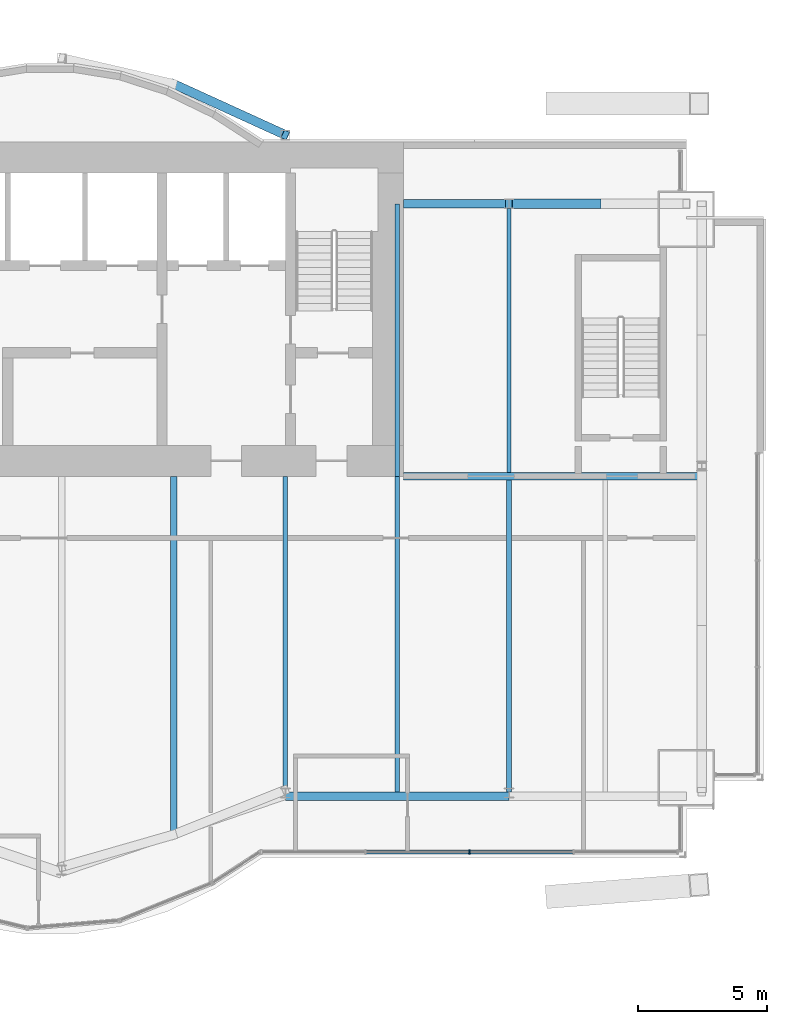
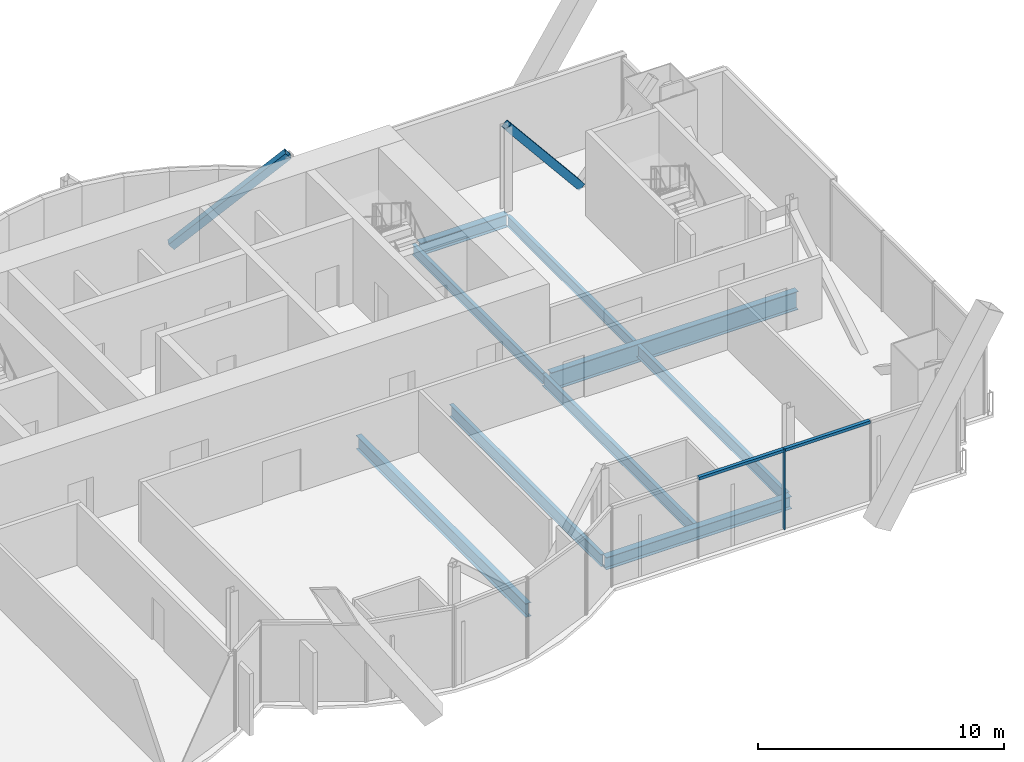
# One storey, part 9 of 19: 9 beams, 5 members, 1 element without a shape of its own.
"""IFC4 building model written with IfcOpenShell, lengths in metres."""

from ifc_helpers import new_model, si_unit, direction, frame, origin, origin_2d, place, context, subcontext, project, spatial, rectangle, hollow_rectangle, i_section, extrude, material, material_profile, profile_set, type_object, element, aggregate, save


model = new_model("IFC4")

# Units and contexts
model_context = context("Model", 3, precision=1e-05, world=origin(), true_north=direction((0.0, 1.0)))
body_context = subcontext(model_context, "Body", "Model", "MODEL_VIEW")
ifc_project = project(units=[si_unit("LENGTHUNIT", "METRE"), si_unit("AREAUNIT", "SQUARE_METRE"), si_unit("VOLUMEUNIT", "CUBIC_METRE"), si_unit("PLANEANGLEUNIT", "RADIAN"), si_unit("MASSUNIT", "GRAM", prefix="KILO")], contexts=[model_context])

# Site, building, storey
site_placement = place(None, origin())
site = spatial("IfcSite", under=ifc_project, at=site_placement, CompositionType="ELEMENT")
building_placement = place(site_placement, origin())
building = spatial("IfcBuilding", under=site, at=building_placement, Name="Bicima Exchange Tower", CompositionType="ELEMENT")
storey_placement = place(building_placement, frame((0.0, 0.0, 283.39990234375)))
storey = spatial("IfcBuildingStorey", under=building, at=storey_placement, Name="L64", CompositionType="ELEMENT", Elevation=283.39990234375)

# Beams
ifc_material_1 = material(Name="Steel ASTM A992 Gr 50", Category="steel")
ifc_material_profile_1 = material_profile(ifc_material_1, i_section(OverallWidth=0.3046875, OverallDepth=0.911865234375, WebThickness=0.015869140625, FlangeThickness=0.02392578125, at=origin_2d()))
ifc_profile_set_1 = profile_set([ifc_material_profile_1], Name="Steel ASTM A992 Gr 50")
beam_type_1 = type_object("IfcBeamType", Name="Core-line girder W36x150", PredefinedType="BEAM", material=ifc_profile_set_1)
beam_1_placement = place(storey_placement, frame((22.0, -13.0, -0.605712890625), z_axis=(1.0, 0.0, 0.0), x_axis=(0.0, 1.0, 0.0)))
element("IfcBeam", 1, at=beam_1_placement, inside=storey, type_object=beam_type_1, Name="Core-line girder", PredefinedType="BEAM", context=body_context, shape_type="SweptSolid", body=[
    extrude(i_section(OverallWidth=0.3046875, OverallDepth=0.911865234375, WebThickness=0.015869140625, FlangeThickness=0.02392578125, at=origin_2d()), origin(), (0.0, 0.0, 1.0), 11.60009765625),
])
ifc_material_profile_2 = material_profile(ifc_material_1, i_section(OverallWidth=0.165771484375, OverallDepth=0.5283203125, WebThickness=0.009765625, FlangeThickness=0.013671875, at=origin_2d()))
ifc_profile_set_2 = profile_set([ifc_material_profile_2], Name="Steel ASTM A992 Gr 50")
beam_type_2 = type_object("IfcBeamType", Name="Floor beam W21x50", PredefinedType="JOIST", material=ifc_profile_set_2)
beam_2_placement = place(storey_placement, frame((21.75, -2.39990234375, -0.4140625), z_axis=(0.0, -1.0, 0.0), x_axis=(1.0, 0.0, 0.0)))
element("IfcBeam", 2, at=beam_2_placement, inside=storey, type_object=beam_type_2, Name="Floor beam", PredefinedType="JOIST", context=body_context, shape_type="SweptSolid", body=[
    extrude(i_section(OverallWidth=0.165771484375, OverallDepth=0.5283203125, WebThickness=0.009765625, FlangeThickness=0.013671875, at=origin_2d()), origin(), (0.0, 0.0, 1.0), 10.60009765625),
])
beam_3_placement = place(storey_placement, frame((26.10009765625, -2.5625, -0.4140625), z_axis=(0.0, -1.0, 0.0), x_axis=(1.0, 0.0, 0.0)))
element("IfcBeam", 3, at=beam_3_placement, inside=storey, type_object=beam_type_2, Name="Floor beam", PredefinedType="JOIST", context=body_context, shape_type="SweptSolid", body=[
    extrude(i_section(OverallWidth=0.165771484375, OverallDepth=0.5283203125, WebThickness=0.009765625, FlangeThickness=0.013671875, at=origin_2d()), origin(), (0.0, 0.0, 1.0), 10.28515625),
])
ifc_material_profile_3 = material_profile(ifc_material_1, i_section(OverallWidth=0.177978515625, OverallDepth=0.599365234375, WebThickness=0.010009765625, FlangeThickness=0.012939453125, at=origin_2d()))
ifc_profile_set_3 = profile_set([ifc_material_profile_3], Name="Steel ASTM A992 Gr 50")
beam_type_3 = type_object("IfcBeamType", Name="Floor beam W24x55", PredefinedType="JOIST", material=ifc_profile_set_3)
beam_4_placement = place(storey_placement, frame((17.39990234375, -13.0, -0.44970703125), z_axis=(0.0, -1.0, 0.0), x_axis=(1.0, 0.0, 0.0)))
element("IfcBeam", 4, at=beam_4_placement, inside=storey, type_object=beam_type_3, Name="Floor beam", PredefinedType="JOIST", context=body_context, shape_type="SweptSolid", body=[
    extrude(i_section(OverallWidth=0.177978515625, OverallDepth=0.599365234375, WebThickness=0.010009765625, FlangeThickness=0.012939453125, at=origin_2d()), origin(), (0.0, 0.0, 1.0), 12.3125),
])
beam_5_placement = place(storey_placement, frame((21.75, -13.0, -0.44970703125), z_axis=(0.0, -1.0, 0.0), x_axis=(1.0, 0.0, 0.0)))
element("IfcBeam", 5, at=beam_5_placement, inside=storey, type_object=beam_type_3, Name="Floor beam", PredefinedType="JOIST", context=body_context, shape_type="SweptSolid", body=[
    extrude(i_section(OverallWidth=0.177978515625, OverallDepth=0.599365234375, WebThickness=0.010009765625, FlangeThickness=0.012939453125, at=origin_2d()), origin(), (0.0, 0.0, 1.0), 12.285400390625),
])
beam_6_placement = place(storey_placement, frame((26.10009765625, -13.15234375, -0.44970703125), z_axis=(0.0, -1.0, 0.0), x_axis=(1.0, 0.0, 0.0)))
element("IfcBeam", 6, at=beam_6_placement, inside=storey, type_object=beam_type_3, Name="Floor beam", PredefinedType="JOIST", context=body_context, shape_type="SweptSolid", body=[
    extrude(i_section(OverallWidth=0.177978515625, OverallDepth=0.599365234375, WebThickness=0.010009765625, FlangeThickness=0.012939453125, at=origin_2d()), origin(), (0.0, 0.0, 1.0), 12.133056640625),
])
ifc_material_profile_4 = material_profile(ifc_material_1, i_section(OverallWidth=0.25390625, OverallDepth=0.67822265625, WebThickness=0.01171875, FlangeThickness=0.016357421875, at=origin_2d()))
ifc_profile_set_4 = profile_set([ifc_material_profile_4], Name="Steel ASTM A992 Gr 50")
beam_type_4 = type_object("IfcBeamType", Name="Floor beam W27x84", PredefinedType="JOIST", material=ifc_profile_set_4)
beam_7_placement = place(storey_placement, frame((13.050048828125, -13.0, -0.489013671875), z_axis=(0.0, -1.0, 0.0), x_axis=(1.0, 0.0, 0.0)))
element("IfcBeam", 7, at=beam_7_placement, inside=storey, type_object=beam_type_4, Name="Floor beam", PredefinedType="JOIST", context=body_context, shape_type="SweptSolid", body=[
    extrude(i_section(OverallWidth=0.25390625, OverallDepth=0.67822265625, WebThickness=0.01171875, FlangeThickness=0.016357421875, at=origin_2d()), origin(), (0.0, 0.0, 1.0), 13.807861328125),
])
ifc_material_profile_5 = material_profile(ifc_material_1, i_section(OverallWidth=0.3251953125, OverallDepth=0.612060546875, WebThickness=0.0126953125, FlangeThickness=0.01904296875, at=origin_2d()))
ifc_profile_set_5 = profile_set([ifc_material_profile_5], Name="Steel ASTM A992 Gr 50")
beam_type_5 = type_object("IfcBeamType", Name="Front girder W24x104", PredefinedType="BEAM", material=ifc_profile_set_5)
beam_8_placement = place(storey_placement, frame((17.39990234375, -25.447998046875, -0.4560546875), z_axis=(1.0, 0.0, 0.0), x_axis=(0.0, 1.0, 0.0)))
element("IfcBeam", 8, at=beam_8_placement, inside=storey, type_object=beam_type_5, Name="Front girder", PredefinedType="BEAM", context=body_context, shape_type="SweptSolid", body=[
    extrude(i_section(OverallWidth=0.3251953125, OverallDepth=0.612060546875, WebThickness=0.0126953125, FlangeThickness=0.01904296875, at=origin_2d()), origin(), (0.0, 0.0, 1.0), 8.7001953125),
])

# Curtain wall, members
ifc_material_2 = material(Name="Anodised bronze aluminium", Category="aluminium")
curtain_wall_type = type_object("IfcCurtainWallType", Name="Front glass wall", PredefinedType="NOTDEFINED", material=ifc_material_2)
curtain_wall_placement = place(storey_placement, origin())
curtain_wall = element("IfcCurtainWall", 9, at=curtain_wall_placement, inside=storey, type_object=curtain_wall_type, Name="Front glass wall L64 run 16", PredefinedType="NOTDEFINED")
ifc_material_profile_6 = material_profile(ifc_material_2, rectangle(XDim=0.159912109375, YDim=0.06005859375, at=origin_2d()))
ifc_profile_set_6 = profile_set([ifc_material_profile_6], Name="Anodised bronze aluminium")
member_type_1 = type_object("IfcMemberType", Name="Front glass wall mullion 60 x 160", PredefinedType="MULLION", material=ifc_profile_set_6)
member_1_placement = place(storey_placement, frame((24.56103515625, -27.617919921875, 0.0), z_axis=(0.0, 0.0, 1.0), x_axis=(0.0, 1.0, 0.0)))
member_1 = element("IfcMember", 10, at=member_1_placement, type_object=member_type_1, Name="Front glass wall mullion 3", PredefinedType="MULLION", context=body_context, shape_type="SweptSolid", body=[
    extrude(rectangle(XDim=0.159912109375, YDim=0.06005859375, at=origin_2d()), origin(), (0.0, 0.0, 1.0), 4.0),
])
ifc_material_profile_7 = material_profile(ifc_material_2, rectangle(XDim=0.159912109375, YDim=0.139892578125, at=origin_2d()))
ifc_profile_set_7 = profile_set([ifc_material_profile_7], Name="Anodised bronze aluminium")
member_type_2 = type_object("IfcMemberType", Name="Front glass wall transom 140 x 160", PredefinedType="USERDEFINED", material=ifc_profile_set_7)
member_2_placement = place(storey_placement, frame((20.54150390625, -27.617919921875, 3.93017578125), z_axis=(1.0, 0.0, 0.0), x_axis=(0.0, 1.0, 0.0)))
member_2 = element("IfcMember", 11, at=member_2_placement, type_object=member_type_2, Name="Front glass wall transom 2.1", ObjectType="TRANSOM", PredefinedType="USERDEFINED", context=body_context, shape_type="SweptSolid", body=[
    extrude(rectangle(XDim=0.159912109375, YDim=0.139892578125, at=origin_2d()), origin(), (0.0, 0.0, 1.0), 3.989501953125),
])
member_3_placement = place(storey_placement, frame((24.591064453125, -27.617919921875, 3.93017578125), z_axis=(1.0, 0.0, 0.0), x_axis=(0.0, 1.0, 0.0)))
member_3 = element("IfcMember", 12, at=member_3_placement, type_object=member_type_2, Name="Front glass wall transom 3.1", ObjectType="TRANSOM", PredefinedType="USERDEFINED", context=body_context, shape_type="SweptSolid", body=[
    extrude(rectangle(XDim=0.159912109375, YDim=0.139892578125, at=origin_2d()), origin(), (0.0, 0.0, 1.0), 3.989501953125),
])
aggregate(curtain_wall, [member_1, member_2, member_3])

# Members
ifc_material_3 = material(Name="Steel ASTM A572 Gr 50", Category="steel")
ifc_material_profile_8 = material_profile(ifc_material_3, hollow_rectangle(XDim=0.355712890625, YDim=0.355712890625, WallThickness=0.0146484375, at=origin_2d()))
ifc_profile_set_8 = profile_set([ifc_material_profile_8], Name="Steel ASTM A572 Gr 50")
member_type_3 = type_object("IfcMemberType", Name="Mega brace HSS14x14x5/8", PredefinedType="BRACE", material=ifc_profile_set_8)
member_4_placement = place(storey_placement, frame((13.050048828125, 2.262451171875, 0.0), z_axis=(0.683508386489, -0.31181209886, 0.659992045864), x_axis=(0.415045223819, 0.909800781592, 0.0)))
element("IfcMember", 13, at=member_4_placement, inside=storey, type_object=member_type_3, Name="Mega brace rexo", PredefinedType="BRACE", context=body_context, shape_type="SweptSolid", body=[
    extrude(hollow_rectangle(XDim=0.355712890625, YDim=0.355712890625, WallThickness=0.0146484375, at=origin_2d()), origin(), (0.0, 0.0, 1.0), 6.364013671875),
])
member_5_placement = place(storey_placement, frame((29.550048828125, -2.39990234375, 0.0), z_axis=(-0.634716434539, 0.0, 0.772745137627), x_axis=(0.0, -1.0, 0.0)))
element("IfcMember", 14, at=member_5_placement, inside=storey, type_object=member_type_3, Name="Mega brace rear", PredefinedType="BRACE", context=body_context, shape_type="SweptSolid", body=[
    extrude(hollow_rectangle(XDim=0.355712890625, YDim=0.355712890625, WallThickness=0.0146484375, at=origin_2d()), origin(), (0.0, 0.0, 1.0), 5.435302734375),
])

# Beam
beam_type_6 = type_object("IfcBeamType", Name="Rear girder W24x104", PredefinedType="BEAM", material=ifc_profile_set_5)
beam_9_placement = place(storey_placement, frame((22.0, -2.39990234375, -0.4560546875), z_axis=(1.0, 0.0, 0.0), x_axis=(0.0, 1.0, 0.0)))
element("IfcBeam", 15, at=beam_9_placement, inside=storey, type_object=beam_type_6, Name="Rear girder", PredefinedType="BEAM", context=body_context, shape_type="SweptSolid", body=[
    extrude(i_section(OverallWidth=0.3251953125, OverallDepth=0.612060546875, WebThickness=0.0126953125, FlangeThickness=0.01904296875, at=origin_2d()), origin(), (0.0, 0.0, 1.0), 4.10009765625),
])

save(model, "model.ifc")
